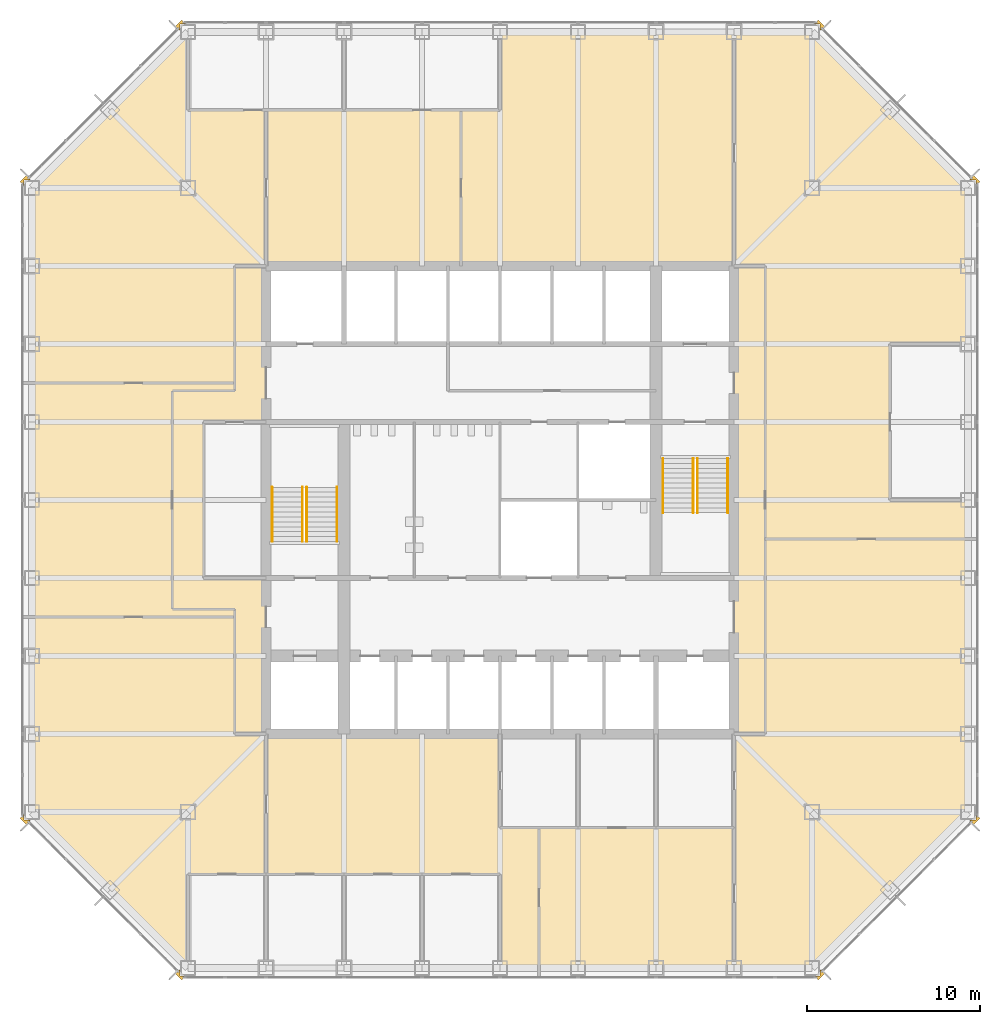
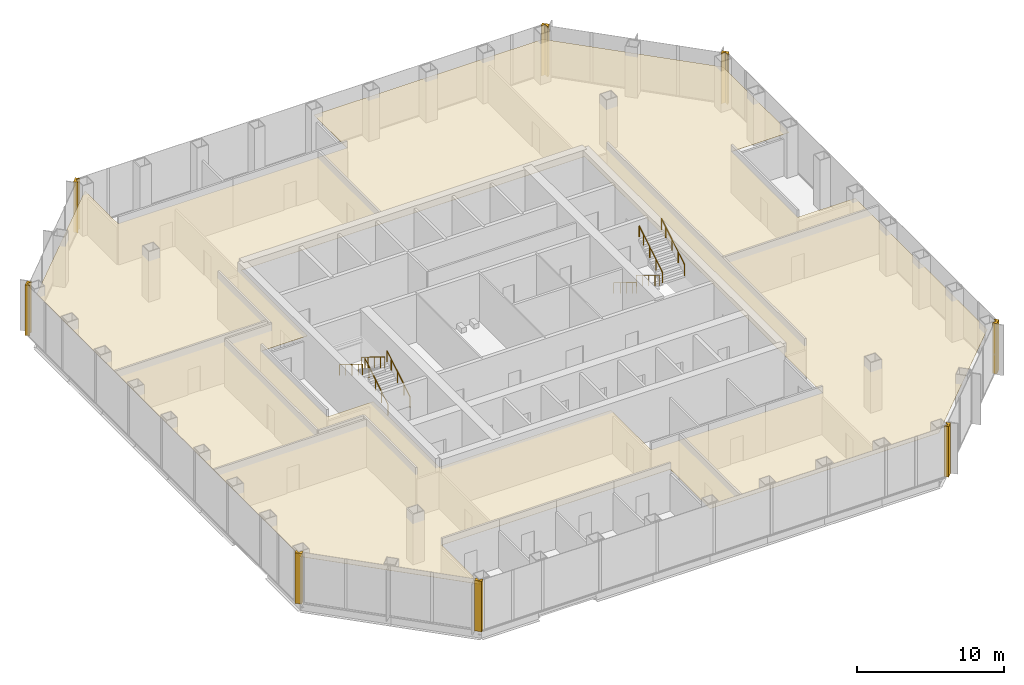
# One storey, part 11 of 12: 9 coverings, 8 railings.
"""IFC4 building model written with IfcOpenShell, lengths in metres."""

import ifcopenshell
import ifcopenshell.guid

model = None  # the IFC model being written
_history = None  # IfcOwnerHistory: only IFC2X3 demands one
_inside = {}  # id of a spatial element -> (the spatial element, [elements in it])
_under = {}  # id of a project, library or spatial element -> (it, [spatial elements below it])
_declared = {}  # id of a project -> (the project, [libraries it declares])
_typed = {}  # id of a type object -> (the type object, [elements of that type])
_made_of = {}  # id of a material, layer set ... -> (it, [elements and type objects made of it])


def new_model(schema):
    """Start an empty IFC model of exactly this schema.

    Asked for "IFC4X3", IfcOpenShell would pick the latest addendum, in which some entities
    have other attributes; the version numbers below select the first issue.
    IFC2X3 requires an IfcOwnerHistory on every rooted entity: one is made here for all.
    """
    global model, _history
    if schema == "IFC4X3":
        model = ifcopenshell.file(schema_version=(4, 3, 0, 0))
    else:
        model = ifcopenshell.file(schema=schema)
    _inside.clear()
    _under.clear()
    _declared.clear()
    _typed.clear()
    _made_of.clear()
    _history = None
    if model.schema == "IFC2X3":
        org = make("IfcOrganization", Name="unknown")
        user = make(
            "IfcPersonAndOrganization",
            ThePerson=make("IfcPerson", FamilyName="unknown"),
            TheOrganization=org,
        )
        app = make(
            "IfcApplication",
            ApplicationDeveloper=org,
            Version="unknown",
            ApplicationFullName="unknown",
            ApplicationIdentifier="unknown",
        )
        _history = make(
            "IfcOwnerHistory",
            OwningUser=user,
            OwningApplication=app,
            ChangeAction="ADDED",
            CreationDate=0,
        )
    return model


def make(cls, **values):
    """One entity of the class cls with the attributes given. An attribute that is None is left unset."""
    return model.create_entity(
        cls, **{name: value for name, value in values.items() if value is not None}
    )


def rooted(cls, **values):
    """An entity with a GlobalId (a new one), such as an element, a storey or a relation."""
    return make(cls, GlobalId=ifcopenshell.guid.new(), OwnerHistory=_history, **values)


def si_unit(unit_type, name, prefix=None):
    """IfcSIUnit, for example si_unit("LENGTHUNIT", "METRE", prefix="MILLI")."""
    return make("IfcSIUnit", UnitType=unit_type, Prefix=prefix, Name=name)


def assignment(units):
    """IfcUnitAssignment: the units of a project."""
    return None if units is None else make("IfcUnitAssignment", Units=units)


def point(xyz):
    """IfcCartesianPoint."""
    return None if xyz is None else make("IfcCartesianPoint", Coordinates=xyz)


def direction(xyz):
    """IfcDirection."""
    return None if xyz is None else make("IfcDirection", DirectionRatios=xyz)


def frame(location, z_axis=None, x_axis=None):
    """IfcAxis2Placement3D, a coordinate frame: its origin and axes. An axis left out is left unset."""
    return make(
        "IfcAxis2Placement3D",
        Location=point(location),
        Axis=direction(z_axis),
        RefDirection=direction(x_axis),
    )


def frame_2d(location, x_axis=None):
    """IfcAxis2Placement2D, a coordinate frame in the plane: its origin and x axis."""
    return make(
        "IfcAxis2Placement2D", Location=point(location), RefDirection=direction(x_axis)
    )


def origin():
    """The frame at (0, 0, 0) with its axes left unset."""
    return frame((0.0, 0.0, 0.0))


def origin_2d():
    """The frame at (0, 0) in the plane with its x axis left unset."""
    return frame_2d((0.0, 0.0))


def place(relative_to, where):
    """IfcLocalPlacement: puts the frame where relative to a parent placement (None: the world)."""
    return make(
        "IfcLocalPlacement", PlacementRelTo=relative_to, RelativePlacement=where
    )


def context(
    kind, dimensions, precision=None, world=None, true_north=None, identifier=None
):
    """IfcGeometricRepresentationContext, for example the 3D "Model" context."""
    return make(
        "IfcGeometricRepresentationContext",
        ContextIdentifier=identifier,
        ContextType=kind,
        CoordinateSpaceDimension=dimensions,
        Precision=precision,
        WorldCoordinateSystem=world,
        TrueNorth=true_north,
    )


def subcontext(parent, identifier, kind, view, scale=None):
    """IfcGeometricRepresentationSubContext, for example "Body" below "Model"."""
    return make(
        "IfcGeometricRepresentationSubContext",
        ContextIdentifier=identifier,
        ContextType=kind,
        ParentContext=parent,
        TargetScale=scale,
        TargetView=view,
    )


def project(units=None, contexts=None):
    """IfcProject with its units and contexts."""
    return rooted(
        "IfcProject",
        Name="project",
        RepresentationContexts=contexts,
        UnitsInContext=assignment(units),
    )


def spatial(cls, under=None, at=None, **own):
    """A site, building, storey or space (cls), placed at a placement, below another one or the project."""
    s = rooted(cls, ObjectPlacement=at, **own)
    if under is not None:
        _under.setdefault(under.id(), (under, []))[1].append(s)
    return s


def polyline(points):
    """IfcPolyline through the points."""
    return make("IfcPolyline", Points=[point(p) for p in points])


def profile(cls, at=None, kind="AREA", **sizes):
    """A parametric profile (cls). Its sizes go by their IFC names, for example OverallWidth=200.0."""
    return make(cls, ProfileType=kind, Position=at, **sizes)


def circle(**sizes):
    """IfcCircleProfileDef."""
    return profile("IfcCircleProfileDef", **sizes)


def outline(outer, holes=None, kind="AREA"):
    """IfcArbitraryClosedProfileDef: a profile drawn as a closed curve; with holes, ...WithVoids."""
    if holes is None:
        return make("IfcArbitraryClosedProfileDef", ProfileType=kind, OuterCurve=outer)
    return make(
        "IfcArbitraryProfileDefWithVoids",
        ProfileType=kind,
        OuterCurve=outer,
        InnerCurves=holes,
    )


def extrude(swept, where, along, depth):
    """IfcExtrudedAreaSolid: the profile swept, set in the frame where, extruded along a direction by depth."""
    return make(
        "IfcExtrudedAreaSolid",
        SweptArea=swept,
        Position=where,
        ExtrudedDirection=direction(along),
        Depth=depth,
    )


def shape(context_of_items, identifier, shape_type, items):
    """IfcShapeRepresentation: the items that make up one representation, for example the "Body"."""
    return make(
        "IfcShapeRepresentation",
        ContextOfItems=context_of_items,
        RepresentationIdentifier=identifier,
        RepresentationType=shape_type,
        Items=items,
    )


def material(Name=None, Category=None):
    """IfcMaterial."""
    return make("IfcMaterial", Name=Name, Category=Category)


def layer(
    of_material, thickness, ventilated=None, Name=None, Category=None, Priority=None
):
    """IfcMaterialLayer: one layer of a wall or slab, of a material (None: an air gap)."""
    return make(
        "IfcMaterialLayer",
        Material=of_material,
        LayerThickness=thickness,
        IsVentilated=ventilated,
        Name=Name,
        Category=Category,
        Priority=Priority,
    )


def layer_set(layers, Name=None):
    """IfcMaterialLayerSet."""
    return make("IfcMaterialLayerSet", MaterialLayers=layers, LayerSetName=Name)


def made_of(thing, what):
    """Note that an element or type object is made of a material, layer set ...; save() writes the relation."""
    if what is not None:
        _made_of.setdefault(what.id(), (what, []))[1].append(thing)
    return thing


def type_object(cls, material=None, **own):
    """A type object (cls), such as IfcWallType, which elements share."""
    return made_of(rooted(cls, **own), material)


def element(
    cls,
    number,
    at=None,
    inside=None,
    cuts=None,
    type_object=None,
    material=None,
    context=None,
    identifier="Body",
    shape_type=None,
    held_by="IfcProductDefinitionShape",
    body=None,
    shapes=None,
    **own,
):
    """One element of the class cls, such as IfcWall. Its Tag is "e" and its number.

    at: its placement. inside: the storey or other place that contains it. cuts: it is an
    opening in that element (IfcRelVoidsElement). A single representation is given by context,
    identifier, shape_type and body (its items); several are given by shapes. held_by: the class
    of the entity that holds the representations. save() writes the other relations.
    """
    e = rooted(cls, Tag="e%d" % number, ObjectPlacement=at, **own)
    if body is not None:
        shapes = [shape(context, identifier, shape_type, body)]
    if shapes is not None:
        e.Representation = make(held_by, Representations=shapes)
    if inside is not None:
        _inside.setdefault(inside.id(), (inside, []))[1].append(e)
    if cuts is not None:
        rooted(
            "IfcRelVoidsElement", RelatingBuildingElement=cuts, RelatedOpeningElement=e
        )
    if type_object is not None:
        _typed.setdefault(type_object.id(), (type_object, []))[1].append(e)
    return made_of(e, material)


def aggregate(whole, parts):
    """IfcRelAggregates: a whole, such as a stair, and the parts it consists of."""
    return rooted("IfcRelAggregates", RelatingObject=whole, RelatedObjects=parts)


def save(model, path):
    """Write the relations noted so far, then the file.

    IfcRelAggregates (storeys below a building ...), IfcRelContainedInSpatialStructure (elements
    in a storey), IfcRelDefinesByType, IfcRelAssociatesMaterial and IfcRelDeclares: one each for
    every whole, place, type object, material and project.
    """
    for whole, parts in _under.values():
        aggregate(whole, parts)
    for where, things in _inside.values():
        rooted(
            "IfcRelContainedInSpatialStructure",
            RelatedElements=things,
            RelatingStructure=where,
        )
    for kind, things in _typed.values():
        rooted("IfcRelDefinesByType", RelatedObjects=things, RelatingType=kind)
    for what, things in _made_of.values():
        rooted("IfcRelAssociatesMaterial", RelatedObjects=things, RelatingMaterial=what)
    for by, libraries in _declared.values():
        rooted("IfcRelDeclares", RelatingContext=by, RelatedDefinitions=libraries)
    model.write(path)


model = new_model("IFC4")

# Units and contexts
model_context = context("Model", 3, precision=1e-05, world=origin(), true_north=direction((0.0, 1.0)))
body_context = subcontext(model_context, "Body", "Model", "MODEL_VIEW")
ifc_project = project(units=[si_unit("LENGTHUNIT", "METRE"), si_unit("AREAUNIT", "SQUARE_METRE"), si_unit("VOLUMEUNIT", "CUBIC_METRE"), si_unit("PLANEANGLEUNIT", "RADIAN"), si_unit("MASSUNIT", "GRAM", prefix="KILO")], contexts=[model_context])

# Site, building, storey
site_placement = place(None, origin())
site = spatial("IfcSite", under=ifc_project, at=site_placement, CompositionType="ELEMENT")
building_placement = place(site_placement, origin())
building = spatial("IfcBuilding", under=site, at=building_placement, Name="Corais Broadcast Tower", CompositionType="ELEMENT")
storey_placement = place(building_placement, frame((0.0, 0.0, 100.39990234375)))
storey = spatial("IfcBuildingStorey", under=building, at=storey_placement, Name="L22", CompositionType="ELEMENT", Elevation=100.39990234375)

# Railings
ifc_material_1 = material(Name="Stainless steel handrail", Category="steel")
railing_type = type_object("IfcRailingType", Name="Handrail 920", PredefinedType="HANDRAIL", material=ifc_material_1)
for number, where, name in (
    (1, (17.60009765625, 24.60009765625, 0.175048828125), "HR1 L22"),
    (2, (15.85009765625, 24.60009765625, 0.175048828125), "HR1 L22"),
):
    element("IfcRailing", number, at=place(storey_placement, frame(where)), inside=storey, type_object=railing_type, Name=name, PredefinedType="HANDRAIL", context=body_context, shape_type="SweptSolid", body=[
        extrude(circle(Radius=0.02392578125, at=origin_2d()), frame((0.0, 0.0, 0.89599609375), z_axis=(0.0, 0.852166034122, 0.523271488128), x_axis=(-1.0, 0.0, 0.0)), (0.0, 0.0, 1.0), 3.678955078125),
        extrude(circle(Radius=0.02099609375, at=origin_2d()), origin(), (0.0, 0.0, 1.0), 0.871826171875),
        extrude(circle(Radius=0.02099609375, at=origin_2d()), frame((0.0, 0.85498046875, 0.52490234375)), (0.0, 0.0, 1.0), 0.871826171875),
        extrude(circle(Radius=0.02099609375, at=origin_2d()), frame((0.0, 1.7099609375, 1.050048828125)), (0.0, 0.0, 1.0), 0.871826171875),
        extrude(circle(Radius=0.02099609375, at=origin_2d()), frame((0.0, 2.56494140625, 1.574951171875)), (0.0, 0.0, 1.0), 0.871826171875),
        extrude(circle(Radius=0.02099609375, at=origin_2d()), frame((0.0, 3.135009765625, 1.925048828125)), (0.0, 0.0, 1.0), 0.871826171875),
    ])
for number, where, name in (
    (3, (13.85009765625, 27.735107421875, 2.275146484375), "HR1 L22"),
    (4, (15.60009765625, 27.735107421875, 2.275146484375), "HR1 L22"),
    (5, (36.39990234375, 29.39990234375, 0.175048828125), "HR1 L22"),
    (6, (38.14990234375, 29.39990234375, 0.175048828125), "HR1 L22"),
):
    element("IfcRailing", number, at=place(storey_placement, frame(where)), inside=storey, type_object=railing_type, Name=name, PredefinedType="HANDRAIL", context=body_context, shape_type="SweptSolid", body=[
        extrude(circle(Radius=0.02392578125, at=origin_2d()), frame((0.0, 0.0, 0.89599609375), z_axis=(0.0, -0.852166034122, 0.523271488128), x_axis=(1.0, 0.0, 0.0)), (0.0, 0.0, 1.0), 3.678955078125),
        extrude(circle(Radius=0.02099609375, at=origin_2d()), origin(), (0.0, 0.0, 1.0), 0.871826171875),
        extrude(circle(Radius=0.02099609375, at=origin_2d()), frame((0.0, -0.85498046875, 0.52490234375)), (0.0, 0.0, 1.0), 0.871826171875),
        extrude(circle(Radius=0.02099609375, at=origin_2d()), frame((0.0, -1.7099609375, 1.050048828125)), (0.0, 0.0, 1.0), 0.871826171875),
        extrude(circle(Radius=0.02099609375, at=origin_2d()), frame((0.0, -2.56494140625, 1.574951171875)), (0.0, 0.0, 1.0), 0.871826171875),
        extrude(circle(Radius=0.02099609375, at=origin_2d()), frame((0.0, -3.135009765625, 1.925048828125)), (0.0, 0.0, 1.0), 0.871826171875),
    ])
for number, where, name in (
    (7, (40.14990234375, 26.264892578125, 2.275146484375), "HR1 L22"),
    (8, (38.39990234375, 26.264892578125, 2.275146484375), "HR1 L22"),
):
    element("IfcRailing", number, at=place(storey_placement, frame(where)), inside=storey, type_object=railing_type, Name=name, PredefinedType="HANDRAIL", context=body_context, shape_type="SweptSolid", body=[
        extrude(circle(Radius=0.02392578125, at=origin_2d()), frame((0.0, 0.0, 0.89599609375), z_axis=(0.0, 0.852166034122, 0.523271488128), x_axis=(-1.0, 0.0, 0.0)), (0.0, 0.0, 1.0), 3.678955078125),
        extrude(circle(Radius=0.02099609375, at=origin_2d()), origin(), (0.0, 0.0, 1.0), 0.871826171875),
        extrude(circle(Radius=0.02099609375, at=origin_2d()), frame((0.0, 0.85498046875, 0.52490234375)), (0.0, 0.0, 1.0), 0.871826171875),
        extrude(circle(Radius=0.02099609375, at=origin_2d()), frame((0.0, 1.7099609375, 1.050048828125)), (0.0, 0.0, 1.0), 0.871826171875),
        extrude(circle(Radius=0.02099609375, at=origin_2d()), frame((0.0, 2.56494140625, 1.574951171875)), (0.0, 0.0, 1.0), 0.871826171875),
        extrude(circle(Radius=0.02099609375, at=origin_2d()), frame((0.0, 3.135009765625, 1.925048828125)), (0.0, 0.0, 1.0), 0.871826171875),
    ])

# Coverings
ifc_material_2 = material(Name="Granite stone cladding", Category="masonry")
ifc_layer_1 = layer(ifc_material_2, 0.324951171875)
ifc_layer_set_1 = layer_set([ifc_layer_1], Name="Granite stone cladding")
covering_type_1 = type_object("IfcCoveringType", Name="Stone corner pier cladding 500x325", PredefinedType="CLADDING", material=ifc_layer_set_1)
covering_1_placement = place(storey_placement, origin())
element("IfcCovering", 9, at=covering_1_placement, inside=storey, type_object=covering_type_1, Name="SP1 stone corner pier L22", PredefinedType="CLADDING", context=body_context, shape_type="SweptSolid", body=[
    extrude(outline(polyline([(8.860595703125, -0.461669921875), (8.84912109375, -0.449951171875), (8.550048828125, -0.449951171875), (8.550048828125, -0.15087890625), (8.507080078125, -0.108154296875), (8.277099609375, -0.337890625), (8.630859375, -0.69140625), (8.860595703125, -0.461669921875)])), origin(), (0.0, 0.0, 1.0), 4.2001953125),
])
covering_2_placement = place(storey_placement, origin())
element("IfcCovering", 10, at=covering_2_placement, inside=storey, type_object=covering_type_1, Name="SP1 stone corner pier L22", PredefinedType="CLADDING", context=body_context, shape_type="SweptSolid", body=[
    extrude(outline(polyline([(-0.449951171875, 8.84912109375), (-0.461669921875, 8.860595703125), (-0.69140625, 8.630859375), (-0.337890625, 8.277099609375), (-0.108154296875, 8.507080078125), (-0.15087890625, 8.550048828125), (-0.449951171875, 8.550048828125), (-0.449951171875, 8.84912109375)])), origin(), (0.0, 0.0, 1.0), 4.2001953125),
])
covering_3_placement = place(storey_placement, origin())
element("IfcCovering", 11, at=covering_3_placement, inside=storey, type_object=covering_type_1, Name="SP1 stone corner pier L22", PredefinedType="CLADDING", context=body_context, shape_type="SweptSolid", body=[
    extrude(outline(polyline([(-0.461669921875, 45.139404296875), (-0.449951171875, 45.15087890625), (-0.449951171875, 45.449951171875), (-0.15087890625, 45.449951171875), (-0.108154296875, 45.492919921875), (-0.337890625, 45.722900390625), (-0.69140625, 45.369140625), (-0.461669921875, 45.139404296875)])), origin(), (0.0, 0.0, 1.0), 4.2001953125),
])
covering_4_placement = place(storey_placement, origin())
element("IfcCovering", 12, at=covering_4_placement, inside=storey, type_object=covering_type_1, Name="SP1 stone corner pier L22", PredefinedType="CLADDING", context=body_context, shape_type="SweptSolid", body=[
    extrude(outline(polyline([(8.84912109375, 54.449951171875), (8.860595703125, 54.461669921875), (8.630859375, 54.69140625), (8.277099609375, 54.337890625), (8.507080078125, 54.108154296875), (8.550048828125, 54.15087890625), (8.550048828125, 54.449951171875), (8.84912109375, 54.449951171875)])), origin(), (0.0, 0.0, 1.0), 4.2001953125),
])
covering_5_placement = place(storey_placement, origin())
element("IfcCovering", 13, at=covering_5_placement, inside=storey, type_object=covering_type_1, Name="SP1 stone corner pier L22", PredefinedType="CLADDING", context=body_context, shape_type="SweptSolid", body=[
    extrude(outline(polyline([(45.139404296875, 54.461669921875), (45.15087890625, 54.449951171875), (45.449951171875, 54.449951171875), (45.449951171875, 54.15087890625), (45.492919921875, 54.108154296875), (45.722900390625, 54.337890625), (45.369140625, 54.69140625), (45.139404296875, 54.461669921875)])), origin(), (0.0, 0.0, 1.0), 4.2001953125),
])
covering_6_placement = place(storey_placement, origin())
element("IfcCovering", 14, at=covering_6_placement, inside=storey, type_object=covering_type_1, Name="SP1 stone corner pier L22", PredefinedType="CLADDING", context=body_context, shape_type="SweptSolid", body=[
    extrude(outline(polyline([(54.449951171875, 45.15087890625), (54.461669921875, 45.139404296875), (54.69140625, 45.369140625), (54.337890625, 45.722900390625), (54.108154296875, 45.492919921875), (54.15087890625, 45.449951171875), (54.449951171875, 45.449951171875), (54.449951171875, 45.15087890625)])), origin(), (0.0, 0.0, 1.0), 4.2001953125),
])
covering_7_placement = place(storey_placement, origin())
element("IfcCovering", 15, at=covering_7_placement, inside=storey, type_object=covering_type_1, Name="SP1 stone corner pier L22", PredefinedType="CLADDING", context=body_context, shape_type="SweptSolid", body=[
    extrude(outline(polyline([(54.461669921875, 8.860595703125), (54.449951171875, 8.84912109375), (54.449951171875, 8.550048828125), (54.15087890625, 8.550048828125), (54.108154296875, 8.507080078125), (54.337890625, 8.277099609375), (54.69140625, 8.630859375), (54.461669921875, 8.860595703125)])), origin(), (0.0, 0.0, 1.0), 4.2001953125),
])
covering_8_placement = place(storey_placement, origin())
element("IfcCovering", 16, at=covering_8_placement, inside=storey, type_object=covering_type_1, Name="SP1 stone corner pier L22", PredefinedType="CLADDING", context=body_context, shape_type="SweptSolid", body=[
    extrude(outline(polyline([(45.15087890625, -0.449951171875), (45.139404296875, -0.461669921875), (45.369140625, -0.69140625), (45.722900390625, -0.337890625), (45.492919921875, -0.108154296875), (45.449951171875, -0.15087890625), (45.449951171875, -0.449951171875), (45.15087890625, -0.449951171875)])), origin(), (0.0, 0.0, 1.0), 4.2001953125),
])
ifc_material_3 = material(Name="Mineral fibre ceiling tile", Category="mineral")
ifc_layer_2 = layer(ifc_material_3, 0.02001953125)
ifc_layer_set_2 = layer_set([ifc_layer_2], Name="Mineral fibre ceiling tile")
covering_type_2 = type_object("IfcCoveringType", Name="Suspended ceiling", PredefinedType="CEILING", material=ifc_layer_set_2)
covering_9_placement = place(storey_placement, frame((0.0, 0.0, 3.380126953125)))
element("IfcCovering", 17, at=covering_9_placement, inside=storey, type_object=covering_type_2, Name="CE1 ceiling L22", PredefinedType="CEILING", context=body_context, shape_type="SweptSolid", body=[
    extrude(outline(polyline([(9.0, 5.39990234375), (9.0, 0.0), (0.0, 9.0), (0.0, 45.0), (9.0, 54.0), (9.0, 49.5), (27.0, 49.5), (27.0, 54.0), (45.0, 54.0), (54.0, 45.0), (54.0, 36.0), (49.5, 36.0), (49.5, 27.0), (54.0, 27.0), (54.0, 9.0), (45.0, 0.0), (27.0, 0.0), (27.0, 5.39990234375), (9.0, 5.39990234375)]), holes=[polyline([(13.5, 31.5), (9.89990234375, 31.5), (9.89990234375, 22.5), (13.5, 22.5), (13.5, 13.5), (27.0, 13.5), (27.0, 8.10009765625), (40.5, 8.10009765625), (40.5, 40.5), (13.5, 40.5), (13.5, 31.5)])]), origin(), (0.0, 0.0, 1.0), 0.02001953125),
])

save(model, "model.ifc")
